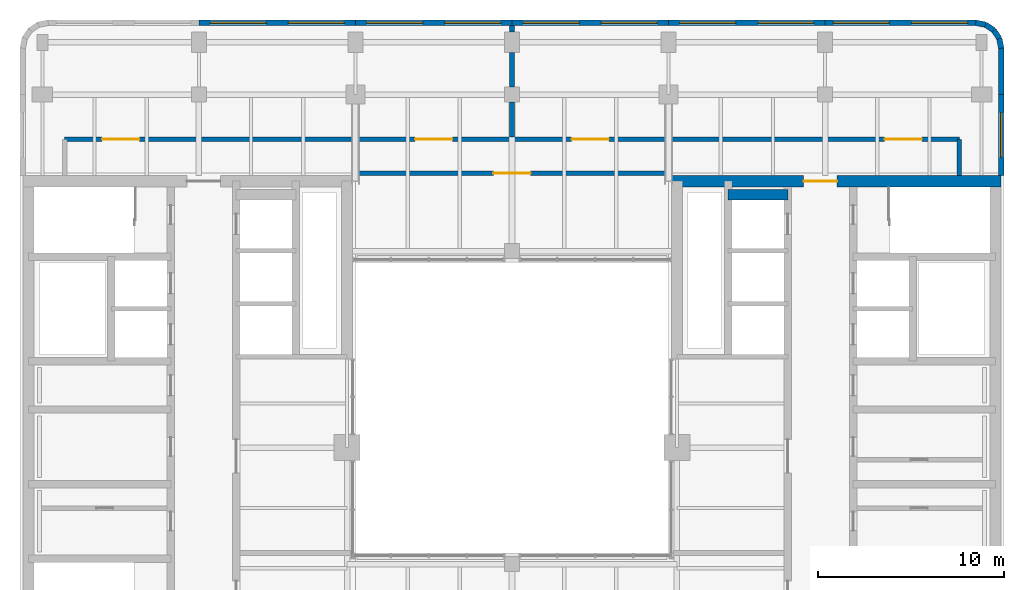
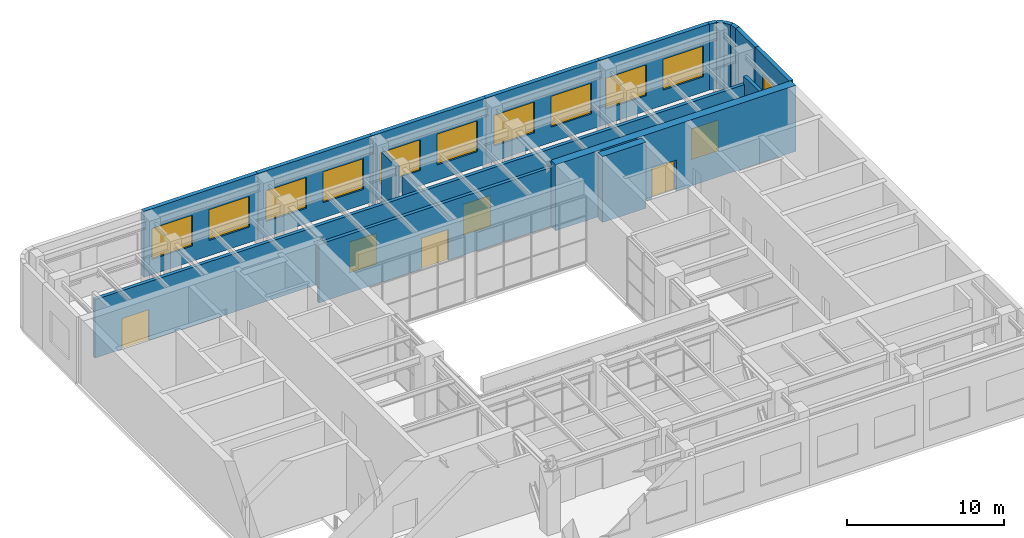
# One storey, part 10 of 11: 19 walls, 11 windows, 6 doors, 17 openings.
"""IFC4 building model written with IfcOpenShell, lengths in metres."""

from ifc_helpers import new_model, si_unit, direction, frame, frame_2d, origin, place, context, subcontext, project, spatial, rectangle, extrude, material, layer, layer_set, type_object, element, fill, save


model = new_model("IFC4")

# Units and contexts
model_context = context("Model", 3, precision=1e-05, world=origin(), true_north=direction((0.0, 1.0)))
body_context = subcontext(model_context, "Body", "Model", "MODEL_VIEW")
ifc_project = project(units=[si_unit("LENGTHUNIT", "METRE"), si_unit("AREAUNIT", "SQUARE_METRE"), si_unit("VOLUMEUNIT", "CUBIC_METRE"), si_unit("PLANEANGLEUNIT", "RADIAN"), si_unit("MASSUNIT", "GRAM", prefix="KILO")], contexts=[model_context])

# Site, building, storey
site_placement = place(None, origin())
site = spatial("IfcSite", under=ifc_project, at=site_placement, CompositionType="ELEMENT")
building_placement = place(site_placement, origin())
building = spatial("IfcBuilding", under=site, at=building_placement, Name="Claustro Exchange Tower", CompositionType="ELEMENT")
storey_placement = place(building_placement, frame((0.0, 0.0, 281.699951171875)))
storey = spatial("IfcBuildingStorey", under=building, at=storey_placement, Name="L64", CompositionType="ELEMENT", Elevation=281.699951171875)

# Wall, openings, doors
ifc_material_1 = material(Name="Concrete blockwork, rendered", Category="masonry")
ifc_layer_1 = layer(ifc_material_1, 0.25)
ifc_layer_set_1 = layer_set([ifc_layer_1], Name="Concrete blockwork, rendered")
wall_type_1 = type_object("IfcWallType", Name="P4 250 blockwork wall", PredefinedType="PARTITIONING", material=ifc_layer_set_1)
wall_1_placement = place(storey_placement, frame((1.199951171875, 39.60009765625, 0.0), z_axis=(0.0, 0.0, 1.0), x_axis=(1.0, 0.0, 0.0)))
wall_1 = element("IfcWall", 1, at=wall_1_placement, inside=storey, type_object=wall_type_1, Name="Partition P4 L64", PredefinedType="PARTITIONING", context=body_context, shape_type="SweptSolid", body=[
    extrude(rectangle(XDim=48.0, YDim=0.25, at=frame_2d((24.0, 0.0))), origin(), (0.0, 0.0, 1.0), 4.56005859375),
])
opening_1_placement = place(wall_1_placement, frame((2.0, 0.0, 0.0)))
opening_1 = element("IfcOpeningElement", 2, at=opening_1_placement, cuts=wall_1, Name="Opening D9", PredefinedType="OPENING", context=body_context, shape_type="SweptSolid", body=[
    extrude(rectangle(XDim=2.0, YDim=2.39990234375, at=frame_2d((1.0, 1.199951171875))), frame((0.0, 0.135009765625, 0.0), z_axis=(0.0, -1.0, 0.0), x_axis=(1.0, 0.0, 0.0)), (0.0, 0.0, 1.0), 0.27001953125),
])
opening_2_placement = place(wall_1_placement, frame((18.800048828125, 0.0, 0.0)))
opening_2 = element("IfcOpeningElement", 3, at=opening_2_placement, cuts=wall_1, Name="Opening D9", PredefinedType="OPENING", context=body_context, shape_type="SweptSolid", body=[
    extrude(rectangle(XDim=2.0, YDim=2.39990234375, at=frame_2d((1.0, 1.199951171875))), frame((0.0, 0.135009765625, 0.0), z_axis=(0.0, -1.0, 0.0), x_axis=(1.0, 0.0, 0.0)), (0.0, 0.0, 1.0), 0.27001953125),
])
opening_3_placement = place(wall_1_placement, frame((27.199951171875, 0.0, 0.0)))
opening_3 = element("IfcOpeningElement", 4, at=opening_3_placement, cuts=wall_1, Name="Opening D9", PredefinedType="OPENING", context=body_context, shape_type="SweptSolid", body=[
    extrude(rectangle(XDim=2.0, YDim=2.39990234375, at=frame_2d((1.0, 1.199951171875))), frame((0.0, 0.135009765625, 0.0), z_axis=(0.0, -1.0, 0.0), x_axis=(1.0, 0.0, 0.0)), (0.0, 0.0, 1.0), 0.27001953125),
])
opening_4_placement = place(wall_1_placement, frame((44.0, 0.0, 0.0)))
opening_4 = element("IfcOpeningElement", 5, at=opening_4_placement, cuts=wall_1, Name="Opening D9", PredefinedType="OPENING", context=body_context, shape_type="SweptSolid", body=[
    extrude(rectangle(XDim=2.0, YDim=2.39990234375, at=frame_2d((1.0, 1.199951171875))), frame((0.0, 0.135009765625, 0.0), z_axis=(0.0, -1.0, 0.0), x_axis=(1.0, 0.0, 0.0)), (0.0, 0.0, 1.0), 0.27001953125),
])
ifc_material_2 = material(Name="Steel fire door, painted", Category="steel")
door_type_1 = type_object("IfcDoorType", Name="D9 2000 x 2400 plant room double door", OperationType="DOUBLE_DOOR_SINGLE_SWING", PredefinedType="DOOR", material=ifc_material_2)
door_1_placement = place(opening_1_placement, origin())
door_1 = element("IfcDoor", 6, at=door_1_placement, inside=storey, type_object=door_type_1, Name="Double door D9 L64", OperationType="DOUBLE_DOOR_SINGLE_SWING", OverallHeight=2.39990234375, OverallWidth=2.0, PredefinedType="DOOR", context=body_context, shape_type="SweptSolid", body=[
    extrude(rectangle(XDim=2.0, YDim=2.39990234375, at=frame_2d((1.0, 1.199951171875))), frame((0.0, 0.02490234375, 0.0), z_axis=(0.0, -1.0, 0.0), x_axis=(1.0, 0.0, 0.0)), (0.0, 0.0, 1.0), 0.050048828125),
])
fill(opening_1, door_1)
door_2_placement = place(opening_2_placement, origin())
door_2 = element("IfcDoor", 7, at=door_2_placement, inside=storey, type_object=door_type_1, Name="Double door D9 L64", OperationType="DOUBLE_DOOR_SINGLE_SWING", OverallHeight=2.39990234375, OverallWidth=2.0, PredefinedType="DOOR", context=body_context, shape_type="SweptSolid", body=[
    extrude(rectangle(XDim=2.0, YDim=2.39990234375, at=frame_2d((1.0, 1.199951171875))), frame((0.0, 0.02490234375, 0.0), z_axis=(0.0, -1.0, 0.0), x_axis=(1.0, 0.0, 0.0)), (0.0, 0.0, 1.0), 0.050048828125),
])
fill(opening_2, door_2)
door_3_placement = place(opening_3_placement, origin())
door_3 = element("IfcDoor", 8, at=door_3_placement, inside=storey, type_object=door_type_1, Name="Double door D9 L64", OperationType="DOUBLE_DOOR_SINGLE_SWING", OverallHeight=2.39990234375, OverallWidth=2.0, PredefinedType="DOOR", context=body_context, shape_type="SweptSolid", body=[
    extrude(rectangle(XDim=2.0, YDim=2.39990234375, at=frame_2d((1.0, 1.199951171875))), frame((0.0, 0.02490234375, 0.0), z_axis=(0.0, -1.0, 0.0), x_axis=(1.0, 0.0, 0.0)), (0.0, 0.0, 1.0), 0.050048828125),
])
fill(opening_3, door_3)
door_4_placement = place(opening_4_placement, origin())
door_4 = element("IfcDoor", 9, at=door_4_placement, inside=storey, type_object=door_type_1, Name="Double door D9 L64", OperationType="DOUBLE_DOOR_SINGLE_SWING", OverallHeight=2.39990234375, OverallWidth=2.0, PredefinedType="DOOR", context=body_context, shape_type="SweptSolid", body=[
    extrude(rectangle(XDim=2.0, YDim=2.39990234375, at=frame_2d((1.0, 1.199951171875))), frame((0.0, 0.02490234375, 0.0), z_axis=(0.0, -1.0, 0.0), x_axis=(1.0, 0.0, 0.0)), (0.0, 0.0, 1.0), 0.050048828125),
])
fill(opening_4, door_4)

# Walls
wall_2_placement = place(storey_placement, frame((49.199951171875, 37.64794921875, 0.0), z_axis=(0.0, 0.0, 1.0), x_axis=(0.0, 1.0, 0.0)))
element("IfcWall", 10, at=wall_2_placement, inside=storey, type_object=wall_type_1, Name="Partition P4 L64", PredefinedType="PARTITIONING", context=body_context, shape_type="SweptSolid", body=[
    extrude(rectangle(XDim=1.9521484375, YDim=0.25, at=frame_2d((0.97607421875, 0.0))), origin(), (0.0, 0.0, 1.0), 5.150146484375),
])
wall_3_placement = place(storey_placement, frame((25.199951171875, 39.72412109375, 0.0), z_axis=(0.0, 0.0, 1.0), x_axis=(0.0, 1.0, 0.0)))
element("IfcWall", 11, at=wall_3_placement, inside=storey, type_object=wall_type_1, Name="Partition P4 L64", PredefinedType="PARTITIONING", context=body_context, shape_type="SweptSolid", body=[
    extrude(rectangle(XDim=1.876953125, YDim=0.25, at=frame_2d((0.9384765625, 0.0))), origin(), (0.0, 0.0, 1.0), 4.56005859375),
])
wall_4_placement = place(storey_placement, frame((25.199951171875, 42.39892578125, 0.0), z_axis=(0.0, 0.0, 1.0), x_axis=(0.0, 1.0, 0.0)))
element("IfcWall", 12, at=wall_4_placement, inside=storey, type_object=wall_type_1, Name="Partition P4 L64", PredefinedType="PARTITIONING", context=body_context, shape_type="SweptSolid", body=[
    extrude(rectangle(XDim=1.85205078125, YDim=0.25, at=frame_2d((0.926025390625, 0.0))), origin(), (0.0, 0.0, 1.0), 4.7900390625),
])
wall_5_placement = place(storey_placement, frame((25.199951171875, 45.35107421875, 0.0), z_axis=(0.0, 0.0, 1.0), x_axis=(0.0, 1.0, 0.0)))
element("IfcWall", 13, at=wall_5_placement, inside=storey, type_object=wall_type_1, Name="Partition P4 L64", PredefinedType="PARTITIONING", context=body_context, shape_type="SweptSolid", body=[
    extrude(rectangle(XDim=0.350830078125, YDim=0.25, at=frame_2d((0.17529296875, 0.0))), origin(), (0.0, 0.0, 1.0), 5.150146484375),
])

# Wall, opening, door
wall_6_placement = place(storey_placement, frame((16.64990234375, 37.77490234375, 0.0), z_axis=(0.0, 0.0, 1.0), x_axis=(1.0, 0.0, 0.0)))
wall_6 = element("IfcWall", 14, at=wall_6_placement, inside=storey, type_object=wall_type_1, Name="Partition P4 L64", PredefinedType="PARTITIONING", context=body_context, shape_type="SweptSolid", body=[
    extrude(rectangle(XDim=17.10009765625, YDim=0.25, at=frame_2d((8.550048828125, 0.0))), origin(), (0.0, 0.0, 1.0), 4.56005859375),
])
opening_5_placement = place(wall_6_placement, frame((7.550048828125, 0.0, 0.0)))
opening_5 = element("IfcOpeningElement", 15, at=opening_5_placement, cuts=wall_6, Name="Opening D9", PredefinedType="OPENING", context=body_context, shape_type="SweptSolid", body=[
    extrude(rectangle(XDim=2.0, YDim=2.39990234375, at=frame_2d((1.0, 1.199951171875))), frame((0.0, 0.135009765625, 0.0), z_axis=(0.0, -1.0, 0.0), x_axis=(1.0, 0.0, 0.0)), (0.0, 0.0, 1.0), 0.27001953125),
])
door_5_placement = place(opening_5_placement, frame((2.0, 0.0, 0.0), z_axis=(0.0, 0.0, 1.0), x_axis=(-1.0, 0.0, 0.0)))
door_5 = element("IfcDoor", 16, at=door_5_placement, inside=storey, type_object=door_type_1, Name="Double door D9 L64", OperationType="DOUBLE_DOOR_SINGLE_SWING", OverallHeight=2.39990234375, OverallWidth=2.0, PredefinedType="DOOR", context=body_context, shape_type="SweptSolid", body=[
    extrude(rectangle(XDim=2.0, YDim=2.39990234375, at=frame_2d((1.0, 1.199951171875))), frame((0.0, 0.02490234375, 0.0), z_axis=(0.0, -1.0, 0.0), x_axis=(1.0, 0.0, 0.0)), (0.0, 0.0, 1.0), 0.050048828125),
])
fill(opening_5, door_5)

# Wall, openings, windows
ifc_material_3 = material(Name="Concrete HA-40 (C40/50), precast, white cement, acid-etched", Category="concrete")
ifc_layer_2 = layer(ifc_material_3, 0.300048828125)
ifc_layer_set_2 = layer_set([ifc_layer_2], Name="Concrete HA-40 (C40/50), precast, white cement, acid-etched")
wall_type_2 = type_object("IfcWallType", Name="PC1 300 precast concrete pier panel", PredefinedType="SOLIDWALL", material=ifc_layer_set_2)
wall_7_placement = place(storey_placement, frame((8.39990234375, 45.85009765625, 0.0), z_axis=(0.0, 0.0, 1.0), x_axis=(1.0, 0.0, 0.0)))
wall_7 = element("IfcWall", 17, at=wall_7_placement, inside=storey, type_object=wall_type_2, Name="Precast pier panel PC1 L64", PredefinedType="SOLIDWALL", context=body_context, shape_type="SweptSolid", body=[
    extrude(rectangle(XDim=8.400146484375, YDim=0.300048828125, at=frame_2d((4.2001953125, 0.0))), origin(), (0.0, 0.0, 1.0), 5.150146484375),
])
opening_6_placement = place(wall_7_placement, frame((0.60009765625, 0.0, 1.199951171875)))
opening_6 = element("IfcOpeningElement", 18, at=opening_6_placement, cuts=wall_7, Name="Opening L1", PredefinedType="OPENING", context=body_context, shape_type="SweptSolid", body=[
    extrude(rectangle(XDim=3.0, YDim=2.39990234375, at=frame_2d((1.5, 1.199951171875))), frame((0.0, 0.159912109375, 0.0), z_axis=(0.0, -1.0, 0.0), x_axis=(1.0, 0.0, 0.0)), (0.0, 0.0, 1.0), 0.320068359375),
])
opening_7_placement = place(wall_7_placement, frame((4.800048828125, 0.0, 1.199951171875)))
opening_7 = element("IfcOpeningElement", 19, at=opening_7_placement, cuts=wall_7, Name="Opening L1", PredefinedType="OPENING", context=body_context, shape_type="SweptSolid", body=[
    extrude(rectangle(XDim=3.0, YDim=2.39990234375, at=frame_2d((1.5, 1.199951171875))), frame((0.0, 0.159912109375, 0.0), z_axis=(0.0, -1.0, 0.0), x_axis=(1.0, 0.0, 0.0)), (0.0, 0.0, 1.0), 0.320068359375),
])
ifc_material_4 = material(Name="Aluminium louvre blades", Category="aluminium")
window_type_1 = type_object("IfcWindowType", Name="L1 3000 x 2400 plant louvre", PartitioningType="SINGLE_PANEL", PredefinedType="USERDEFINED", material=ifc_material_4)
window_1_placement = place(opening_6_placement, origin())
window_1 = element("IfcWindow", 20, at=window_1_placement, inside=storey, type_object=window_type_1, Name="Plant louvre L1 L64", ObjectType="LOUVRE", OverallHeight=2.39990234375, OverallWidth=3.0, PartitioningType="SINGLE_PANEL", PredefinedType="USERDEFINED", context=body_context, shape_type="SweptSolid", body=[
    extrude(rectangle(XDim=3.0, YDim=2.39990234375, at=frame_2d((1.5, 1.199951171875))), frame((0.0, 0.030029296875, 0.0), z_axis=(0.0, -1.0, 0.0), x_axis=(1.0, 0.0, 0.0)), (0.0, 0.0, 1.0), 0.06005859375),
])
fill(opening_6, window_1)
window_2_placement = place(opening_7_placement, origin())
window_2 = element("IfcWindow", 21, at=window_2_placement, inside=storey, type_object=window_type_1, Name="Plant louvre L1 L64", ObjectType="LOUVRE", OverallHeight=2.39990234375, OverallWidth=3.0, PartitioningType="SINGLE_PANEL", PredefinedType="USERDEFINED", context=body_context, shape_type="SweptSolid", body=[
    extrude(rectangle(XDim=3.0, YDim=2.39990234375, at=frame_2d((1.5, 1.199951171875))), frame((0.0, 0.030029296875, 0.0), z_axis=(0.0, -1.0, 0.0), x_axis=(1.0, 0.0, 0.0)), (0.0, 0.0, 1.0), 0.06005859375),
])
fill(opening_7, window_2)

wall_8_placement = place(storey_placement, frame((16.800048828125, 45.85009765625, 0.0), z_axis=(0.0, 0.0, 1.0), x_axis=(1.0, 0.0, 0.0)))
wall_8 = element("IfcWall", 22, at=wall_8_placement, inside=storey, type_object=wall_type_2, Name="Precast pier panel PC1 L64", PredefinedType="SOLIDWALL", context=body_context, shape_type="SweptSolid", body=[
    extrude(rectangle(XDim=8.39990234375, YDim=0.300048828125, at=frame_2d((4.199951171875, 0.0))), origin(), (0.0, 0.0, 1.0), 5.150146484375),
])
opening_8_placement = place(wall_8_placement, frame((0.60009765625, 0.0, 1.199951171875)))
opening_8 = element("IfcOpeningElement", 23, at=opening_8_placement, cuts=wall_8, Name="Opening L1", PredefinedType="OPENING", context=body_context, shape_type="SweptSolid", body=[
    extrude(rectangle(XDim=3.0, YDim=2.39990234375, at=frame_2d((1.5, 1.199951171875))), frame((0.0, 0.159912109375, 0.0), z_axis=(0.0, -1.0, 0.0), x_axis=(1.0, 0.0, 0.0)), (0.0, 0.0, 1.0), 0.320068359375),
])
opening_9_placement = place(wall_8_placement, frame((4.800048828125, 0.0, 1.199951171875)))
opening_9 = element("IfcOpeningElement", 24, at=opening_9_placement, cuts=wall_8, Name="Opening L1", PredefinedType="OPENING", context=body_context, shape_type="SweptSolid", body=[
    extrude(rectangle(XDim=3.0, YDim=2.39990234375, at=frame_2d((1.5, 1.199951171875))), frame((0.0, 0.159912109375, 0.0), z_axis=(0.0, -1.0, 0.0), x_axis=(1.0, 0.0, 0.0)), (0.0, 0.0, 1.0), 0.320068359375),
])
window_3_placement = place(opening_8_placement, origin())
window_3 = element("IfcWindow", 25, at=window_3_placement, inside=storey, type_object=window_type_1, Name="Plant louvre L1 L64", ObjectType="LOUVRE", OverallHeight=2.39990234375, OverallWidth=3.0, PartitioningType="SINGLE_PANEL", PredefinedType="USERDEFINED", context=body_context, shape_type="SweptSolid", body=[
    extrude(rectangle(XDim=3.0, YDim=2.39990234375, at=frame_2d((1.5, 1.199951171875))), frame((0.0, 0.030029296875, 0.0), z_axis=(0.0, -1.0, 0.0), x_axis=(1.0, 0.0, 0.0)), (0.0, 0.0, 1.0), 0.06005859375),
])
fill(opening_8, window_3)
window_4_placement = place(opening_9_placement, origin())
window_4 = element("IfcWindow", 26, at=window_4_placement, inside=storey, type_object=window_type_1, Name="Plant louvre L1 L64", ObjectType="LOUVRE", OverallHeight=2.39990234375, OverallWidth=3.0, PartitioningType="SINGLE_PANEL", PredefinedType="USERDEFINED", context=body_context, shape_type="SweptSolid", body=[
    extrude(rectangle(XDim=3.0, YDim=2.39990234375, at=frame_2d((1.5, 1.199951171875))), frame((0.0, 0.030029296875, 0.0), z_axis=(0.0, -1.0, 0.0), x_axis=(1.0, 0.0, 0.0)), (0.0, 0.0, 1.0), 0.06005859375),
])
fill(opening_9, window_4)

wall_9_placement = place(storey_placement, frame((25.199951171875, 45.85009765625, 0.0), z_axis=(0.0, 0.0, 1.0), x_axis=(1.0, 0.0, 0.0)))
wall_9 = element("IfcWall", 27, at=wall_9_placement, inside=storey, type_object=wall_type_2, Name="Precast pier panel PC1 L64", PredefinedType="SOLIDWALL", context=body_context, shape_type="SweptSolid", body=[
    extrude(rectangle(XDim=8.400146484375, YDim=0.300048828125, at=frame_2d((4.2001953125, 0.0))), origin(), (0.0, 0.0, 1.0), 5.150146484375),
])
opening_10_placement = place(wall_9_placement, frame((0.60009765625, 0.0, 1.199951171875)))
opening_10 = element("IfcOpeningElement", 28, at=opening_10_placement, cuts=wall_9, Name="Opening L1", PredefinedType="OPENING", context=body_context, shape_type="SweptSolid", body=[
    extrude(rectangle(XDim=3.0, YDim=2.39990234375, at=frame_2d((1.5, 1.199951171875))), frame((0.0, 0.159912109375, 0.0), z_axis=(0.0, -1.0, 0.0), x_axis=(1.0, 0.0, 0.0)), (0.0, 0.0, 1.0), 0.320068359375),
])
opening_11_placement = place(wall_9_placement, frame((4.800048828125, 0.0, 1.199951171875)))
opening_11 = element("IfcOpeningElement", 29, at=opening_11_placement, cuts=wall_9, Name="Opening L1", PredefinedType="OPENING", context=body_context, shape_type="SweptSolid", body=[
    extrude(rectangle(XDim=3.0, YDim=2.39990234375, at=frame_2d((1.5, 1.199951171875))), frame((0.0, 0.159912109375, 0.0), z_axis=(0.0, -1.0, 0.0), x_axis=(1.0, 0.0, 0.0)), (0.0, 0.0, 1.0), 0.320068359375),
])
window_5_placement = place(opening_10_placement, origin())
window_5 = element("IfcWindow", 30, at=window_5_placement, inside=storey, type_object=window_type_1, Name="Plant louvre L1 L64", ObjectType="LOUVRE", OverallHeight=2.39990234375, OverallWidth=3.0, PartitioningType="SINGLE_PANEL", PredefinedType="USERDEFINED", context=body_context, shape_type="SweptSolid", body=[
    extrude(rectangle(XDim=3.0, YDim=2.39990234375, at=frame_2d((1.5, 1.199951171875))), frame((0.0, 0.030029296875, 0.0), z_axis=(0.0, -1.0, 0.0), x_axis=(1.0, 0.0, 0.0)), (0.0, 0.0, 1.0), 0.06005859375),
])
fill(opening_10, window_5)
window_6_placement = place(opening_11_placement, origin())
window_6 = element("IfcWindow", 31, at=window_6_placement, inside=storey, type_object=window_type_1, Name="Plant louvre L1 L64", ObjectType="LOUVRE", OverallHeight=2.39990234375, OverallWidth=3.0, PartitioningType="SINGLE_PANEL", PredefinedType="USERDEFINED", context=body_context, shape_type="SweptSolid", body=[
    extrude(rectangle(XDim=3.0, YDim=2.39990234375, at=frame_2d((1.5, 1.199951171875))), frame((0.0, 0.030029296875, 0.0), z_axis=(0.0, -1.0, 0.0), x_axis=(1.0, 0.0, 0.0)), (0.0, 0.0, 1.0), 0.06005859375),
])
fill(opening_11, window_6)

wall_10_placement = place(storey_placement, frame((33.60009765625, 45.85009765625, 0.0), z_axis=(0.0, 0.0, 1.0), x_axis=(1.0, 0.0, 0.0)))
wall_10 = element("IfcWall", 32, at=wall_10_placement, inside=storey, type_object=wall_type_2, Name="Precast pier panel PC1 L64", PredefinedType="SOLIDWALL", context=body_context, shape_type="SweptSolid", body=[
    extrude(rectangle(XDim=8.39990234375, YDim=0.300048828125, at=frame_2d((4.199951171875, 0.0))), origin(), (0.0, 0.0, 1.0), 5.150146484375),
])
opening_12_placement = place(wall_10_placement, frame((0.60009765625, 0.0, 1.199951171875)))
opening_12 = element("IfcOpeningElement", 33, at=opening_12_placement, cuts=wall_10, Name="Opening L1", PredefinedType="OPENING", context=body_context, shape_type="SweptSolid", body=[
    extrude(rectangle(XDim=3.0, YDim=2.39990234375, at=frame_2d((1.5, 1.199951171875))), frame((0.0, 0.159912109375, 0.0), z_axis=(0.0, -1.0, 0.0), x_axis=(1.0, 0.0, 0.0)), (0.0, 0.0, 1.0), 0.320068359375),
])
opening_13_placement = place(wall_10_placement, frame((4.800048828125, 0.0, 1.199951171875)))
opening_13 = element("IfcOpeningElement", 34, at=opening_13_placement, cuts=wall_10, Name="Opening L1", PredefinedType="OPENING", context=body_context, shape_type="SweptSolid", body=[
    extrude(rectangle(XDim=3.0, YDim=2.39990234375, at=frame_2d((1.5, 1.199951171875))), frame((0.0, 0.159912109375, 0.0), z_axis=(0.0, -1.0, 0.0), x_axis=(1.0, 0.0, 0.0)), (0.0, 0.0, 1.0), 0.320068359375),
])
window_7_placement = place(opening_12_placement, origin())
window_7 = element("IfcWindow", 35, at=window_7_placement, inside=storey, type_object=window_type_1, Name="Plant louvre L1 L64", ObjectType="LOUVRE", OverallHeight=2.39990234375, OverallWidth=3.0, PartitioningType="SINGLE_PANEL", PredefinedType="USERDEFINED", context=body_context, shape_type="SweptSolid", body=[
    extrude(rectangle(XDim=3.0, YDim=2.39990234375, at=frame_2d((1.5, 1.199951171875))), frame((0.0, 0.030029296875, 0.0), z_axis=(0.0, -1.0, 0.0), x_axis=(1.0, 0.0, 0.0)), (0.0, 0.0, 1.0), 0.06005859375),
])
fill(opening_12, window_7)
window_8_placement = place(opening_13_placement, origin())
window_8 = element("IfcWindow", 36, at=window_8_placement, inside=storey, type_object=window_type_1, Name="Plant louvre L1 L64", ObjectType="LOUVRE", OverallHeight=2.39990234375, OverallWidth=3.0, PartitioningType="SINGLE_PANEL", PredefinedType="USERDEFINED", context=body_context, shape_type="SweptSolid", body=[
    extrude(rectangle(XDim=3.0, YDim=2.39990234375, at=frame_2d((1.5, 1.199951171875))), frame((0.0, 0.030029296875, 0.0), z_axis=(0.0, -1.0, 0.0), x_axis=(1.0, 0.0, 0.0)), (0.0, 0.0, 1.0), 0.06005859375),
])
fill(opening_13, window_8)

wall_11_placement = place(storey_placement, frame((42.0, 45.85009765625, 0.0), z_axis=(0.0, 0.0, 1.0), x_axis=(1.0, 0.0, 0.0)))
wall_11 = element("IfcWall", 37, at=wall_11_placement, inside=storey, type_object=wall_type_2, Name="Precast pier panel PC1 L64", PredefinedType="SOLIDWALL", context=body_context, shape_type="SweptSolid", body=[
    extrude(rectangle(XDim=8.085205078125, YDim=0.300048828125, at=frame_2d((4.04248046875, 0.0))), origin(), (0.0, 0.0, 1.0), 5.150146484375),
])
opening_14_placement = place(wall_11_placement, frame((0.442626953125, 0.0, 1.199951171875)))
opening_14 = element("IfcOpeningElement", 38, at=opening_14_placement, cuts=wall_11, Name="Opening L1", PredefinedType="OPENING", context=body_context, shape_type="SweptSolid", body=[
    extrude(rectangle(XDim=3.0, YDim=2.39990234375, at=frame_2d((1.5, 1.199951171875))), frame((0.0, 0.159912109375, 0.0), z_axis=(0.0, -1.0, 0.0), x_axis=(1.0, 0.0, 0.0)), (0.0, 0.0, 1.0), 0.320068359375),
])
opening_15_placement = place(wall_11_placement, frame((4.642578125, 0.0, 1.199951171875)))
opening_15 = element("IfcOpeningElement", 39, at=opening_15_placement, cuts=wall_11, Name="Opening L1", PredefinedType="OPENING", context=body_context, shape_type="SweptSolid", body=[
    extrude(rectangle(XDim=3.0, YDim=2.39990234375, at=frame_2d((1.5, 1.199951171875))), frame((0.0, 0.159912109375, 0.0), z_axis=(0.0, -1.0, 0.0), x_axis=(1.0, 0.0, 0.0)), (0.0, 0.0, 1.0), 0.320068359375),
])
window_9_placement = place(opening_14_placement, origin())
window_9 = element("IfcWindow", 40, at=window_9_placement, inside=storey, type_object=window_type_1, Name="Plant louvre L1 L64", ObjectType="LOUVRE", OverallHeight=2.39990234375, OverallWidth=3.0, PartitioningType="SINGLE_PANEL", PredefinedType="USERDEFINED", context=body_context, shape_type="SweptSolid", body=[
    extrude(rectangle(XDim=3.0, YDim=2.39990234375, at=frame_2d((1.5, 1.199951171875))), frame((0.0, 0.030029296875, 0.0), z_axis=(0.0, -1.0, 0.0), x_axis=(1.0, 0.0, 0.0)), (0.0, 0.0, 1.0), 0.06005859375),
])
fill(opening_14, window_9)
window_10_placement = place(opening_15_placement, origin())
window_10 = element("IfcWindow", 41, at=window_10_placement, inside=storey, type_object=window_type_1, Name="Plant louvre L1 L64", ObjectType="LOUVRE", OverallHeight=2.39990234375, OverallWidth=3.0, PartitioningType="SINGLE_PANEL", PredefinedType="USERDEFINED", context=body_context, shape_type="SweptSolid", body=[
    extrude(rectangle(XDim=3.0, YDim=2.39990234375, at=frame_2d((1.5, 1.199951171875))), frame((0.0, 0.030029296875, 0.0), z_axis=(0.0, -1.0, 0.0), x_axis=(1.0, 0.0, 0.0)), (0.0, 0.0, 1.0), 0.06005859375),
])
fill(opening_15, window_10)

# Walls
wall_12_placement = place(storey_placement, frame((50.085205078125, 45.85009765625, 0.0), z_axis=(0.0, 0.0, 1.0), x_axis=(0.980702050465, -0.1955082817, 0.0)))
element("IfcWall", 42, at=wall_12_placement, inside=storey, type_object=wall_type_2, Name="Precast pier panel PC1 L64", PredefinedType="SOLIDWALL", context=body_context, shape_type="SweptSolid", body=[
    extrude(rectangle(XDim=0.540771484375, YDim=0.300048828125, at=frame_2d((0.2705078125, 0.0))), origin(), (0.0, 0.0, 1.0), 5.150146484375),
])
wall_13_placement = place(storey_placement, frame((50.615478515625, 45.744384765625, 0.0), z_axis=(0.0, 0.0, 1.0), x_axis=(0.831692711774, -0.555236195849, 0.0)))
element("IfcWall", 43, at=wall_13_placement, inside=storey, type_object=wall_type_2, Name="Precast pier panel PC1 L64", PredefinedType="SOLIDWALL", context=body_context, shape_type="SweptSolid", body=[
    extrude(rectangle(XDim=0.525390625, YDim=0.300048828125, at=frame_2d((0.2626953125, 0.0))), origin(), (0.0, 0.0, 1.0), 5.150146484375),
])
wall_14_placement = place(storey_placement, frame((51.052490234375, 45.45263671875, 0.0), z_axis=(0.0, 0.0, 1.0), x_axis=(0.55534295404, -0.831621430339, 0.0)))
element("IfcWall", 44, at=wall_14_placement, inside=storey, type_object=wall_type_2, Name="Precast pier panel PC1 L64", PredefinedType="SOLIDWALL", context=body_context, shape_type="SweptSolid", body=[
    extrude(rectangle(XDim=0.52587890625, YDim=0.300048828125, at=frame_2d((0.262939453125, 0.0))), origin(), (0.0, 0.0, 1.0), 5.150146484375),
])
wall_15_placement = place(storey_placement, frame((51.344482421875, 45.015380859375, 0.0), z_axis=(0.0, 0.0, 1.0), x_axis=(0.195073962632, -0.980788534345, 0.0)))
element("IfcWall", 45, at=wall_15_placement, inside=storey, type_object=wall_type_2, Name="Precast pier panel PC1 L64", PredefinedType="SOLIDWALL", context=body_context, shape_type="SweptSolid", body=[
    extrude(rectangle(XDim=0.540771484375, YDim=0.300048828125, at=frame_2d((0.2705078125, 0.0))), origin(), (0.0, 0.0, 1.0), 5.150146484375),
])
wall_16_placement = place(storey_placement, frame((51.449951171875, 44.485107421875, 0.0), z_axis=(0.0, 0.0, 1.0), x_axis=(0.0, -1.0, 0.0)))
element("IfcWall", 46, at=wall_16_placement, inside=storey, type_object=wall_type_2, Name="Precast pier panel PC1 L64", PredefinedType="SOLIDWALL", context=body_context, shape_type="SweptSolid", body=[
    extrude(rectangle(XDim=2.485107421875, YDim=0.300048828125, at=frame_2d((1.24267578125, 0.0))), origin(), (0.0, 0.0, 1.0), 5.150146484375),
])

# Wall, opening, window
wall_17_placement = place(storey_placement, frame((51.449951171875, 42.0, 0.0), z_axis=(0.0, 0.0, 1.0), x_axis=(0.0, -1.0, 0.0)))
wall_17 = element("IfcWall", 47, at=wall_17_placement, inside=storey, type_object=wall_type_2, Name="Precast pier panel PC1 L64", PredefinedType="SOLIDWALL", context=body_context, shape_type="SweptSolid", body=[
    extrude(rectangle(XDim=4.35009765625, YDim=0.300048828125, at=frame_2d((2.175048828125, 0.0))), origin(), (0.0, 0.0, 1.0), 5.150146484375),
])
opening_16_placement = place(wall_17_placement, frame((0.97509765625, 0.0, 1.199951171875)))
opening_16 = element("IfcOpeningElement", 48, at=opening_16_placement, cuts=wall_17, Name="Opening L2", PredefinedType="OPENING", context=body_context, shape_type="SweptSolid", body=[
    extrude(rectangle(XDim=2.39990234375, YDim=2.39990234375, at=frame_2d((1.199951171875, 1.199951171875))), frame((0.0, 0.159912109375, 0.0), z_axis=(0.0, -1.0, 0.0), x_axis=(1.0, 0.0, 0.0)), (0.0, 0.0, 1.0), 0.320068359375),
])
ifc_material_5 = material(Name="Aluminium louvre blades", Category="aluminium")
window_type_2 = type_object("IfcWindowType", Name="L2 2400 x 2400 plant louvre", PartitioningType="SINGLE_PANEL", PredefinedType="USERDEFINED", material=ifc_material_5)
window_11_placement = place(opening_16_placement, origin())
window_11 = element("IfcWindow", 49, at=window_11_placement, inside=storey, type_object=window_type_2, Name="Plant louvre L2 L64", ObjectType="LOUVRE", OverallHeight=2.39990234375, OverallWidth=2.39990234375, PartitioningType="SINGLE_PANEL", PredefinedType="USERDEFINED", context=body_context, shape_type="SweptSolid", body=[
    extrude(rectangle(XDim=2.39990234375, YDim=2.39990234375, at=frame_2d((1.199951171875, 1.199951171875))), frame((0.0, 0.030029296875, 0.0), z_axis=(0.0, -1.0, 0.0), x_axis=(1.0, 0.0, 0.0)), (0.0, 0.0, 1.0), 0.06005859375),
])
fill(opening_16, window_11)

# Wall, opening, door
ifc_material_6 = material(Name="Concrete HA-50 (C50/60)", Category="concrete")
ifc_layer_3 = layer(ifc_material_6, 0.60009765625)
ifc_layer_set_3 = layer_set([ifc_layer_3], Name="Concrete HA-50 (C50/60)")
wall_type_3 = type_object("IfcWallType", Name="SW3 600 core shear wall", PredefinedType="SHEAR", material=ifc_layer_set_3)
wall_18_placement = place(storey_placement, frame((33.75, 37.35009765625, 0.0), z_axis=(0.0, 0.0, 1.0), x_axis=(1.0, 0.0, 0.0)))
wall_18 = element("IfcWall", 50, at=wall_18_placement, inside=storey, type_object=wall_type_3, Name="Core wall SW3 E core N face L64", PredefinedType="SHEAR", context=body_context, shape_type="SweptSolid", body=[
    extrude(rectangle(XDim=17.699951171875, YDim=0.60009765625, at=frame_2d((8.85009765625, 0.0))), origin(), (0.0, 0.0, 1.0), 5.150146484375),
])
opening_17_placement = place(wall_18_placement, frame((7.10009765625, 0.0, 0.0)))
opening_17 = element("IfcOpeningElement", 51, at=opening_17_placement, cuts=wall_18, Name="Opening D3", PredefinedType="OPENING", context=body_context, shape_type="SweptSolid", body=[
    extrude(rectangle(XDim=1.800048828125, YDim=2.39990234375, at=frame_2d((0.89990234375, 1.199951171875))), frame((0.0, 0.31005859375, 0.0), z_axis=(0.0, -1.0, 0.0), x_axis=(1.0, 0.0, 0.0)), (0.0, 0.0, 1.0), 0.6201171875),
])
ifc_material_7 = material(Name="Steel fire door, painted", Category="steel")
door_type_2 = type_object("IfcDoorType", Name="D3 1800 x 2400 fire-rated lobby double door", OperationType="DOUBLE_DOOR_SINGLE_SWING", PredefinedType="DOOR", material=ifc_material_7)
door_6_placement = place(opening_17_placement, origin())
door_6 = element("IfcDoor", 52, at=door_6_placement, inside=storey, type_object=door_type_2, Name="Lift lobby door D3 L64", OperationType="DOUBLE_DOOR_SINGLE_SWING", OverallHeight=2.39990234375, OverallWidth=1.800048828125, PredefinedType="DOOR", context=body_context, shape_type="SweptSolid", body=[
    extrude(rectangle(XDim=1.800048828125, YDim=2.39990234375, at=frame_2d((0.89990234375, 1.199951171875))), frame((0.0, 0.02490234375, 0.0), z_axis=(0.0, -1.0, 0.0), x_axis=(1.0, 0.0, 0.0)), (0.0, 0.0, 1.0), 0.050048828125),
])
fill(opening_17, door_6)

# Wall
ifc_material_8 = material(Name="Concrete HA-50 (C50/60)", Category="concrete")
ifc_layer_4 = layer(ifc_material_8, 0.550048828125)
ifc_layer_set_4 = layer_set([ifc_layer_4], Name="Concrete HA-50 (C50/60)")
wall_type_4 = type_object("IfcWallType", Name="SW6 550 lift shaft end wall", PredefinedType="SHEAR", material=ifc_layer_set_4)
wall_19_placement = place(storey_placement, frame((40.0, 36.625, 0.0), z_axis=(0.0, 0.0, 1.0), x_axis=(-1.0, 0.0, 0.0)))
element("IfcWall", 53, at=wall_19_placement, inside=storey, type_object=wall_type_4, Name="Lift shaft wall E core L64", PredefinedType="SHEAR", context=body_context, shape_type="SweptSolid", body=[
    extrude(rectangle(XDim=3.199951171875, YDim=0.550048828125, at=frame_2d((1.60009765625, 0.0))), origin(), (0.0, 0.0, 1.0), 5.150146484375),
])

save(model, "model.ifc")
